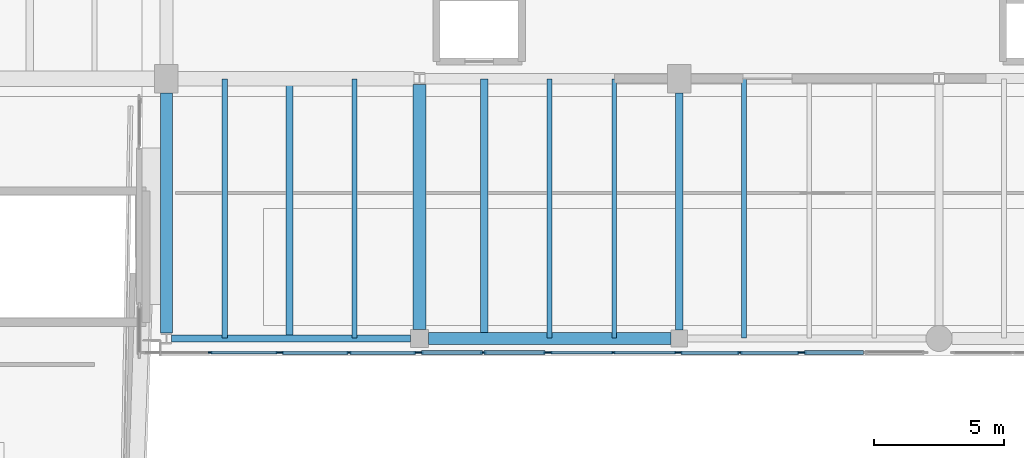
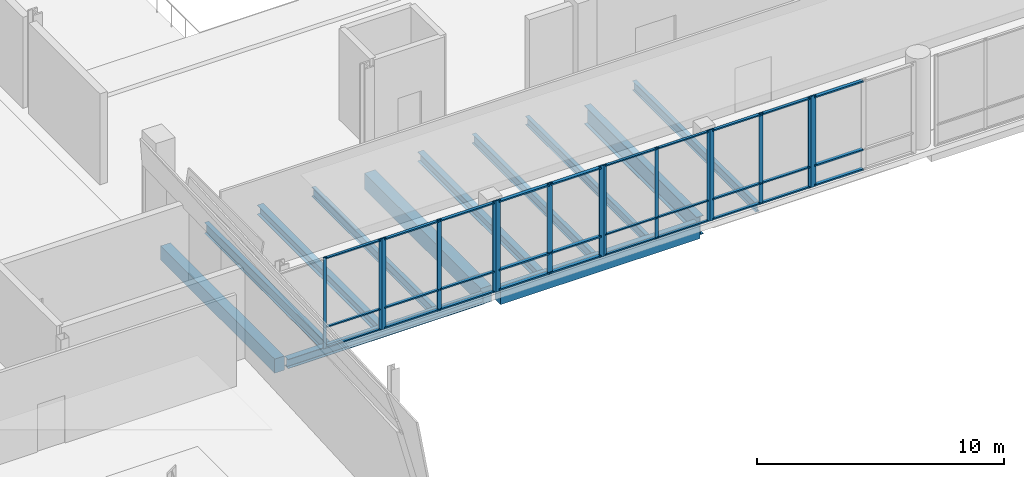
# One storey, part 17 of 41: 45 members, 12 beams, 6 elements without a shape of their own.
"""IFC4 building model written with IfcOpenShell, lengths in metres."""

from ifc_helpers import new_model, si_unit, direction, frame, origin, origin_2d, place, context, subcontext, project, spatial, rectangle, i_section, extrude, material, material_profile, profile_set, type_object, element, aggregate, save


model = new_model("IFC4")

# Units and contexts
model_context = context("Model", 3, precision=1e-05, world=origin(), true_north=direction((0.0, 1.0)))
body_context = subcontext(model_context, "Body", "Model", "MODEL_VIEW")
ifc_project = project(units=[si_unit("LENGTHUNIT", "METRE"), si_unit("AREAUNIT", "SQUARE_METRE"), si_unit("VOLUMEUNIT", "CUBIC_METRE"), si_unit("PLANEANGLEUNIT", "RADIAN"), si_unit("MASSUNIT", "GRAM", prefix="KILO")], contexts=[model_context])

# Site, building, storey
site_placement = place(None, origin())
site = spatial("IfcSite", under=ifc_project, at=site_placement, CompositionType="ELEMENT")
building_placement = place(site_placement, origin())
building = spatial("IfcBuilding", under=site, at=building_placement, Name="Trimount Lyric Opera House", CompositionType="ELEMENT")
storey_placement = place(building_placement, frame((0.0, 0.0, 20.0)))
storey = spatial("IfcBuildingStorey", under=building, at=storey_placement, Name="L04", CompositionType="ELEMENT", Elevation=20.0)

# Beams
ifc_material_1 = material(Name="Steel ASTM A992 Grade 50", Category="steel")
ifc_material_profile_1 = material_profile(ifc_material_1, i_section(OverallWidth=0.304931640625, OverallDepth=0.9189453125, WebThickness=0.017333984375, FlangeThickness=0.02783203125, FilletRadius=0.02001953125, at=origin_2d()), Name="W36X170")
ifc_profile_set_1 = profile_set([ifc_material_profile_1], Name="Steel ASTM A992 Grade 50")
beam_type_1 = type_object("IfcBeamType", Name="B-03", PredefinedType="BEAM", material=ifc_profile_set_1)
beam_1_placement = place(storey_placement, frame((84.0, 44.324951171875, -0.784423828125), z_axis=(0.0, 1.0, 0.0), x_axis=(-1.0, 0.0, 0.0)))
element("IfcBeam", 1, at=beam_1_placement, inside=storey, type_object=beam_type_1, Name="L04 girder Y-1225", PredefinedType="BEAM", context=body_context, shape_type="SweptSolid", body=[
    extrude(i_section(OverallWidth=0.304931640625, OverallDepth=0.9189453125, WebThickness=0.017333984375, FlangeThickness=0.02783203125, FilletRadius=0.02001953125, at=origin_2d()), origin(), (0.0, 0.0, 1.0), 9.125),
])
ifc_material_2 = material(Name="Concrete C40/50", Category="concrete")
ifc_material_profile_2 = material_profile(ifc_material_2, rectangle(XDim=0.5, YDim=0.800048828125, at=origin_2d()), Name="RC500X800")
ifc_profile_set_2 = profile_set([ifc_material_profile_2], Name="Concrete C40/50")
beam_type_2 = type_object("IfcBeamType", Name="B-15", PredefinedType="BEAM", material=ifc_profile_set_2)
beam_2_placement = place(storey_placement, frame((74.0, 44.35009765625, -0.72509765625), z_axis=(0.0, 1.0, 0.0), x_axis=(-1.0, 0.0, 0.0)))
element("IfcBeam", 2, at=beam_2_placement, inside=storey, type_object=beam_type_2, Name="L04 girder Y-1223", PredefinedType="BEAM", context=body_context, shape_type="SweptSolid", body=[
    extrude(rectangle(XDim=0.5, YDim=0.800048828125, at=origin_2d()), origin(), (0.0, 0.0, 1.0), 9.41748046875),
])
ifc_material_3 = material(Name="Steel ASTM A992 Grade 50", Category="steel")
ifc_material_profile_3 = material_profile(ifc_material_3, i_section(OverallWidth=0.2099609375, OverallDepth=0.532958984375, WebThickness=0.01025390625, FlangeThickness=0.015625, FilletRadius=0.012939453125, at=origin_2d()), Name="W21X62")
ifc_profile_set_3 = profile_set([ifc_material_profile_3], Name="Steel ASTM A992 Grade 50")
beam_type_3 = type_object("IfcBeamType", Name="J-02", PredefinedType="BEAM", material=ifc_profile_set_3)
beam_3_placement = place(storey_placement, frame((66.5, 44.011962890625, -0.591552734375), z_axis=(0.0, 1.0, 0.0), x_axis=(-1.0, 0.0, 0.0)))
element("IfcBeam", 3, at=beam_3_placement, inside=storey, type_object=beam_type_3, Name="L04 composite floor joist 1198", PredefinedType="BEAM", context=body_context, shape_type="SweptSolid", body=[
    extrude(i_section(OverallWidth=0.2099609375, OverallDepth=0.532958984375, WebThickness=0.01025390625, FlangeThickness=0.015625, FilletRadius=0.012939453125, at=origin_2d()), origin(), (0.0, 0.0, 1.0), 9.97607421875),
])
ifc_material_4 = material(Name="Steel ASTM A992 Grade 50", Category="steel")
ifc_material_profile_4 = material_profile(ifc_material_4, i_section(OverallWidth=0.281982421875, OverallDepth=0.467041015625, WebThickness=0.01220703125, FlangeThickness=0.01953125, FilletRadius=0.012939453125, at=origin_2d()), Name="W18X86")
ifc_profile_set_4 = profile_set([ifc_material_profile_4], Name="Steel ASTM A992 Grade 50")
beam_type_4 = type_object("IfcBeamType", Name="J-03", PredefinedType="BEAM", material=ifc_profile_set_4)
for number, where, z_axis, x_axis, name in (
    (4, (69.0, 44.011962890625, -0.55859375), (0.0, 1.0, 0.0), (-1.0, 0.0, 0.0), "L04 composite floor joist 1199"),
    (5, (76.5, 44.011962890625, -0.55859375), (0.0, 1.0, 0.0), (-1.0, 0.0, 0.0), "L04 composite floor joist 1201"),
):
    element("IfcBeam", number, at=place(storey_placement, frame(where, z_axis=z_axis, x_axis=x_axis)), inside=storey, type_object=beam_type_4, Name=name, PredefinedType="BEAM", context=body_context, shape_type="SweptSolid", body=[
        extrude(i_section(OverallWidth=0.281982421875, OverallDepth=0.467041015625, WebThickness=0.01220703125, FlangeThickness=0.01953125, FilletRadius=0.012939453125, at=origin_2d()), origin(), (0.0, 0.0, 1.0), 9.97607421875),
    ])
ifc_material_5 = material(Name="Steel ASTM A992 Grade 50", Category="steel")
ifc_material_profile_5 = material_profile(ifc_material_5, i_section(OverallWidth=0.19091796875, OverallDepth=0.45703125, WebThickness=0.009033203125, FlangeThickness=0.014404296875, FilletRadius=0.010986328125, at=origin_2d()), Name="W18X50")
ifc_profile_set_5 = profile_set([ifc_material_profile_5], Name="Steel ASTM A992 Grade 50")
beam_type_5 = type_object("IfcBeamType", Name="J-04", PredefinedType="BEAM", material=ifc_profile_set_5)
for number, where, z_axis, x_axis, name in (
    (6, (71.5, 44.011962890625, -0.553466796875), (0.0, 1.0, 0.0), (-1.0, 0.0, 0.0), "L04 composite floor joist 1200"),
    (7, (79.0, 44.011962890625, -0.553466796875), (0.0, 1.0, 0.0), (-1.0, 0.0, 0.0), "L04 composite floor joist 1202"),
    (8, (86.5, 44.011962890625, -0.553466796875), (0.0, 1.0, 0.0), (-1.0, 0.0, 0.0), "L04 composite floor joist 1204"),
):
    element("IfcBeam", number, at=place(storey_placement, frame(where, z_axis=z_axis, x_axis=x_axis)), inside=storey, type_object=beam_type_5, Name=name, PredefinedType="BEAM", context=body_context, shape_type="SweptSolid", body=[
        extrude(i_section(OverallWidth=0.19091796875, OverallDepth=0.45703125, WebThickness=0.009033203125, FlangeThickness=0.014404296875, FilletRadius=0.010986328125, at=origin_2d()), origin(), (0.0, 0.0, 1.0), 9.97607421875),
    ])
ifc_material_6 = material(Name="Steel ASTM A992 Grade 50", Category="steel")
ifc_material_profile_6 = material_profile(ifc_material_6, i_section(OverallWidth=0.180908203125, OverallDepth=0.4169921875, WebThickness=0.010986328125, FlangeThickness=0.018310546875, FilletRadius=0.010986328125, at=origin_2d()), Name="W16X57")
ifc_profile_set_6 = profile_set([ifc_material_profile_6], Name="Steel ASTM A992 Grade 50")
beam_type_6 = type_object("IfcBeamType", Name="J-05", PredefinedType="BEAM", material=ifc_profile_set_6)
beam_4_placement = place(storey_placement, frame((81.5, 44.011962890625, -0.533447265625), z_axis=(0.0, 1.0, 0.0), x_axis=(-1.0, 0.0, 0.0)))
element("IfcBeam", 9, at=beam_4_placement, inside=storey, type_object=beam_type_6, Name="L04 composite floor joist 1203", PredefinedType="BEAM", context=body_context, shape_type="SweptSolid", body=[
    extrude(i_section(OverallWidth=0.180908203125, OverallDepth=0.4169921875, WebThickness=0.010986328125, FlangeThickness=0.018310546875, FilletRadius=0.010986328125, at=origin_2d()), origin(), (0.0, 0.0, 1.0), 9.97607421875),
])

# Curtain wall, member
ifc_material_7 = material(Name="Thermally Broken Aluminium and Low-E Glass", Category="aluminium")
curtain_wall_type = type_object("IfcCurtainWallType", Name="CW-05", PredefinedType="NOTDEFINED", material=ifc_material_7)
curtain_wall_1_placement = place(storey_placement, origin())
curtain_wall_1 = element("IfcCurtainWall", 10, at=curtain_wall_1_placement, inside=storey, type_object=curtain_wall_type, Name="L04 curtain wall 327", PredefinedType="NOTDEFINED")
ifc_material_8 = material(Name="Anodised Aluminium 6063-T6", Category="aluminium")
ifc_material_profile_7 = material_profile(ifc_material_8, rectangle(XDim=0.070068359375, YDim=0.219970703125, at=origin_2d()), Name="ALU-MULL-70X220")
ifc_profile_set_7 = profile_set([ifc_material_profile_7], Name="Anodised Aluminium 6063-T6")
member_type_1 = type_object("IfcMemberType", Name="ML-01", PredefinedType="MULLION", material=ifc_profile_set_7)
member_1_placement = place(storey_placement, frame((88.784912109375, 43.4599609375, 0.0), z_axis=(0.0, 0.0, 1.0), x_axis=(0.0, -1.0, 0.0)))
member_1 = element("IfcMember", 11, at=member_1_placement, type_object=member_type_1, Name="CW-05 mullion 3", PredefinedType="MULLION", context=body_context, shape_type="SweptSolid", body=[
    extrude(rectangle(XDim=0.070068359375, YDim=0.219970703125, at=origin_2d()), origin(), (0.0, 0.0, 1.0), 4.510009765625),
])

# Curtain wall, members
curtain_wall_2_placement = place(storey_placement, origin())
curtain_wall_2 = element("IfcCurtainWall", 12, at=curtain_wall_2_placement, inside=storey, type_object=curtain_wall_type, Name="L04 curtain wall 330", PredefinedType="NOTDEFINED")
member_2_placement = place(storey_placement, frame((78.875, 43.4599609375, 0.0), z_axis=(0.0, 0.0, 1.0), x_axis=(0.0, -1.0, 0.0)))
member_2 = element("IfcMember", 13, at=member_2_placement, type_object=member_type_1, Name="CW-05 mullion 1", PredefinedType="MULLION", context=body_context, shape_type="SweptSolid", body=[
    extrude(rectangle(XDim=0.070068359375, YDim=0.219970703125, at=origin_2d()), origin(), (0.0, 0.0, 1.0), 4.510009765625),
])
member_3_placement = place(storey_placement, frame((76.455078125, 43.4599609375, 0.0), z_axis=(0.0, 0.0, 1.0), x_axis=(0.0, -1.0, 0.0)))
member_3 = element("IfcMember", 14, at=member_3_placement, type_object=member_type_1, Name="CW-05 mullion 2", PredefinedType="MULLION", context=body_context, shape_type="SweptSolid", body=[
    extrude(rectangle(XDim=0.070068359375, YDim=0.219970703125, at=origin_2d()), origin(), (0.0, 0.0, 1.0), 4.510009765625),
])
member_4_placement = place(storey_placement, frame((74.034912109375, 43.4599609375, 0.0), z_axis=(0.0, 0.0, 1.0), x_axis=(0.0, -1.0, 0.0)))
member_4 = element("IfcMember", 15, at=member_4_placement, type_object=member_type_1, Name="CW-05 mullion 3", PredefinedType="MULLION", context=body_context, shape_type="SweptSolid", body=[
    extrude(rectangle(XDim=0.070068359375, YDim=0.219970703125, at=origin_2d()), origin(), (0.0, 0.0, 1.0), 4.510009765625),
])

curtain_wall_3_placement = place(storey_placement, origin())
curtain_wall_3 = element("IfcCurtainWall", 16, at=curtain_wall_3_placement, inside=storey, type_object=curtain_wall_type, Name="L04 curtain wall 328", PredefinedType="NOTDEFINED")
ifc_material_9 = material(Name="Anodised Aluminium 6063-T6", Category="aluminium")
ifc_material_profile_8 = material_profile(ifc_material_9, rectangle(XDim=0.06494140625, YDim=0.179931640625, at=origin_2d()), Name="ALU-MULL-65X180")
ifc_profile_set_8 = profile_set([ifc_material_profile_8], Name="Anodised Aluminium 6063-T6")
member_type_2 = type_object("IfcMemberType", Name="ML-02", PredefinedType="MULLION", material=ifc_profile_set_8)
member_5_placement = place(storey_placement, frame((88.62744140625, 43.4599609375, 0.0), z_axis=(0.0, 0.0, 1.0), x_axis=(0.0, -1.0, 0.0)))
member_5 = element("IfcMember", 17, at=member_5_placement, type_object=member_type_2, Name="CW-05 mullion 1", PredefinedType="MULLION", context=body_context, shape_type="SweptSolid", body=[
    extrude(rectangle(XDim=0.06494140625, YDim=0.179931640625, at=origin_2d()), origin(), (0.0, 0.0, 1.0), 4.510009765625),
])
member_6_placement = place(storey_placement, frame((86.330078125, 43.4599609375, 0.0), z_axis=(0.0, 0.0, 1.0), x_axis=(0.0, -1.0, 0.0)))
member_6 = element("IfcMember", 18, at=member_6_placement, type_object=member_type_2, Name="CW-05 mullion 2", PredefinedType="MULLION", context=body_context, shape_type="SweptSolid", body=[
    extrude(rectangle(XDim=0.06494140625, YDim=0.179931640625, at=origin_2d()), origin(), (0.0, 0.0, 1.0), 4.510009765625),
])
member_7_placement = place(storey_placement, frame((84.032470703125, 43.4599609375, 0.0), z_axis=(0.0, 0.0, 1.0), x_axis=(0.0, -1.0, 0.0)))
member_7 = element("IfcMember", 19, at=member_7_placement, type_object=member_type_2, Name="CW-05 mullion 3", PredefinedType="MULLION", context=body_context, shape_type="SweptSolid", body=[
    extrude(rectangle(XDim=0.06494140625, YDim=0.179931640625, at=origin_2d()), origin(), (0.0, 0.0, 1.0), 4.510009765625),
])

curtain_wall_4_placement = place(storey_placement, origin())
curtain_wall_4 = element("IfcCurtainWall", 20, at=curtain_wall_4_placement, inside=storey, type_object=curtain_wall_type, Name="L04 curtain wall 331", PredefinedType="NOTDEFINED")
member_8_placement = place(storey_placement, frame((73.87744140625, 43.4599609375, 0.0), z_axis=(0.0, 0.0, 1.0), x_axis=(0.0, -1.0, 0.0)))
member_8 = element("IfcMember", 21, at=member_8_placement, type_object=member_type_2, Name="CW-05 mullion 1", PredefinedType="MULLION", context=body_context, shape_type="SweptSolid", body=[
    extrude(rectangle(XDim=0.06494140625, YDim=0.179931640625, at=origin_2d()), origin(), (0.0, 0.0, 1.0), 4.510009765625),
])
member_9_placement = place(storey_placement, frame((71.284912109375, 43.4599609375, 0.0), z_axis=(0.0, 0.0, 1.0), x_axis=(0.0, -1.0, 0.0)))
member_9 = element("IfcMember", 22, at=member_9_placement, type_object=member_type_2, Name="CW-05 mullion 2", PredefinedType="MULLION", context=body_context, shape_type="SweptSolid", body=[
    extrude(rectangle(XDim=0.06494140625, YDim=0.179931640625, at=origin_2d()), origin(), (0.0, 0.0, 1.0), 4.510009765625),
])
member_10_placement = place(storey_placement, frame((68.6923828125, 43.4599609375, 0.0), z_axis=(0.0, 0.0, 1.0), x_axis=(0.0, -1.0, 0.0)))
member_10 = element("IfcMember", 23, at=member_10_placement, type_object=member_type_2, Name="CW-05 mullion 3", PredefinedType="MULLION", context=body_context, shape_type="SweptSolid", body=[
    extrude(rectangle(XDim=0.06494140625, YDim=0.179931640625, at=origin_2d()), origin(), (0.0, 0.0, 1.0), 4.510009765625),
])

curtain_wall_5_placement = place(storey_placement, origin())
curtain_wall_5 = element("IfcCurtainWall", 24, at=curtain_wall_5_placement, inside=storey, type_object=curtain_wall_type, Name="L04 curtain wall 329", PredefinedType="NOTDEFINED")
ifc_material_10 = material(Name="Anodised Aluminium 6063-T6", Category="aluminium")
ifc_material_profile_9 = material_profile(ifc_material_10, rectangle(XDim=0.06005859375, YDim=0.14990234375, at=origin_2d()), Name="ALU-MULL-60X150")
ifc_profile_set_9 = profile_set([ifc_material_profile_9], Name="Anodised Aluminium 6063-T6")
member_type_3 = type_object("IfcMemberType", Name="ML-03", PredefinedType="MULLION", material=ifc_profile_set_9)
member_11_placement = place(storey_placement, frame((83.8798828125, 43.4599609375, 0.0), z_axis=(0.0, 0.0, 1.0), x_axis=(0.0, -1.0, 0.0)))
member_11 = element("IfcMember", 25, at=member_11_placement, type_object=member_type_3, Name="CW-05 mullion 1", PredefinedType="MULLION", context=body_context, shape_type="SweptSolid", body=[
    extrude(rectangle(XDim=0.06005859375, YDim=0.14990234375, at=origin_2d()), origin(), (0.0, 0.0, 1.0), 4.510009765625),
])
member_12_placement = place(storey_placement, frame((81.455078125, 43.4599609375, 0.0), z_axis=(0.0, 0.0, 1.0), x_axis=(0.0, -1.0, 0.0)))
member_12 = element("IfcMember", 26, at=member_12_placement, type_object=member_type_3, Name="CW-05 mullion 2", PredefinedType="MULLION", context=body_context, shape_type="SweptSolid", body=[
    extrude(rectangle(XDim=0.06005859375, YDim=0.14990234375, at=origin_2d()), origin(), (0.0, 0.0, 1.0), 4.510009765625),
])
member_13_placement = place(storey_placement, frame((79.030029296875, 43.4599609375, 0.0), z_axis=(0.0, 0.0, 1.0), x_axis=(0.0, -1.0, 0.0)))
member_13 = element("IfcMember", 27, at=member_13_placement, type_object=member_type_3, Name="CW-05 mullion 3", PredefinedType="MULLION", context=body_context, shape_type="SweptSolid", body=[
    extrude(rectangle(XDim=0.06005859375, YDim=0.14990234375, at=origin_2d()), origin(), (0.0, 0.0, 1.0), 4.510009765625),
])

curtain_wall_6_placement = place(storey_placement, origin())
curtain_wall_6 = element("IfcCurtainWall", 28, at=curtain_wall_6_placement, inside=storey, type_object=curtain_wall_type, Name="L04 curtain wall 332", PredefinedType="NOTDEFINED")
member_14_placement = place(storey_placement, frame((68.5400390625, 43.4599609375, 0.0), z_axis=(0.0, 0.0, 1.0), x_axis=(0.0, -1.0, 0.0)))
member_14 = element("IfcMember", 29, at=member_14_placement, type_object=member_type_3, Name="CW-05 mullion 1", PredefinedType="MULLION", context=body_context, shape_type="SweptSolid", body=[
    extrude(rectangle(XDim=0.06005859375, YDim=0.14990234375, at=origin_2d()), origin(), (0.0, 0.0, 1.0), 4.510009765625),
])
member_15_placement = place(storey_placement, frame((65.945068359375, 43.4599609375, 0.0), z_axis=(0.0, 0.0, 1.0), x_axis=(0.0, -1.0, 0.0)))
member_15 = element("IfcMember", 30, at=member_15_placement, type_object=member_type_3, Name="CW-05 mullion 2", PredefinedType="MULLION", context=body_context, shape_type="SweptSolid", body=[
    extrude(rectangle(XDim=0.06005859375, YDim=0.14990234375, at=origin_2d()), origin(), (0.0, 0.0, 1.0), 4.510009765625),
])

# Beams
ifc_material_11 = material(Name="Steel ASTM A992 Grade 50", Category="steel")
ifc_material_profile_10 = material_profile(ifc_material_11, i_section(OverallWidth=0.281982421875, OverallDepth=0.467041015625, WebThickness=0.01220703125, FlangeThickness=0.01953125, FilletRadius=0.012939453125, at=origin_2d()), Name="W18X86")
ifc_profile_set_10 = profile_set([ifc_material_profile_10], Name="Steel ASTM A992 Grade 50")
beam_type_7 = type_object("IfcBeamType", Name="SP-01", PredefinedType="SPANDREL", material=ifc_profile_set_10)
beam_5_placement = place(storey_placement, frame((64.462890625, 44.0, -0.513427734375), z_axis=(1.0, 0.0, 0.0), x_axis=(0.0, 1.0, 0.0)))
element("IfcBeam", 31, at=beam_5_placement, inside=storey, type_object=beam_type_7, Name="L04 girder X-1128", PredefinedType="SPANDREL", context=body_context, shape_type="SweptSolid", body=[
    extrude(i_section(OverallWidth=0.281982421875, OverallDepth=0.467041015625, WebThickness=0.01220703125, FlangeThickness=0.01953125, FilletRadius=0.012939453125, at=origin_2d()), origin(), (0.0, 0.0, 1.0), 9.18701171875),
])
ifc_material_12 = material(Name="Concrete C40/50", Category="concrete")
ifc_material_profile_11 = material_profile(ifc_material_12, rectangle(XDim=0.449951171875, YDim=0.699951171875, at=origin_2d()), Name="RC450X700")
ifc_profile_set_11 = profile_set([ifc_material_profile_11], Name="Concrete C40/50")
beam_type_8 = type_object("IfcBeamType", Name="SP-02", PredefinedType="SPANDREL", material=ifc_profile_set_11)
beam_6_placement = place(storey_placement, frame((74.35009765625, 44.0, -0.6298828125), z_axis=(1.0, 0.0, 0.0), x_axis=(0.0, 1.0, 0.0)))
element("IfcBeam", 32, at=beam_6_placement, inside=storey, type_object=beam_type_8, Name="L04 girder X-1129", PredefinedType="SPANDREL", context=body_context, shape_type="SweptSolid", body=[
    extrude(rectangle(XDim=0.449951171875, YDim=0.699951171875, at=origin_2d()), origin(), (0.0, 0.0, 1.0), 9.324951171875),
])
beam_7_placement = place(storey_placement, frame((64.260009765625, 44.20849609375, -0.675048828125), z_axis=(0.0, 1.0, 0.0), x_axis=(-1.0, 0.0, 0.0)))
element("IfcBeam", 33, at=beam_7_placement, inside=storey, type_object=beam_type_8, Name="L04 girder Y-1216", PredefinedType="SPANDREL", context=body_context, shape_type="SweptSolid", body=[
    extrude(rectangle(XDim=0.449951171875, YDim=0.699951171875, at=origin_2d()), origin(), (0.0, 0.0, 1.0), 9.241455078125),
])

# Member
ifc_material_13 = material(Name="Anodised Aluminium 6063-T6", Category="aluminium")
ifc_material_profile_12 = material_profile(ifc_material_13, rectangle(XDim=0.159912109375, YDim=0.070068359375, at=origin_2d()), Name="ALU-TRAN-70X160")
ifc_profile_set_12 = profile_set([ifc_material_profile_12], Name="Anodised Aluminium 6063-T6")
member_type_4 = type_object("IfcMemberType", Name="TR-01", PredefinedType="USERDEFINED", material=ifc_profile_set_12)
member_16_placement = place(storey_placement, frame((91.090087890625, 43.4599609375, 0.080078125), z_axis=(-1.0, 0.0, 0.0), x_axis=(0.0, -1.0, 0.0)))
member_16 = element("IfcMember", 34, at=member_16_placement, type_object=member_type_4, Name="CW-05 transom 2.1", ObjectType="TRANSOM", PredefinedType="USERDEFINED", context=body_context, shape_type="SweptSolid", body=[
    extrude(rectangle(XDim=0.159912109375, YDim=0.070068359375, at=origin_2d()), origin(), (0.0, 0.0, 1.0), 2.27001953125),
])

member_17_placement = place(storey_placement, frame((91.090087890625, 43.4599609375, 1.050048828125), z_axis=(-1.0, 0.0, 0.0), x_axis=(0.0, -1.0, 0.0)))
member_17 = element("IfcMember", 35, at=member_17_placement, type_object=member_type_4, Name="CW-05 transom 2.2", ObjectType="TRANSOM", PredefinedType="USERDEFINED", context=body_context, shape_type="SweptSolid", body=[
    extrude(rectangle(XDim=0.159912109375, YDim=0.070068359375, at=origin_2d()), origin(), (0.0, 0.0, 1.0), 2.27001953125),
])

member_18_placement = place(storey_placement, frame((91.090087890625, 43.4599609375, 4.429931640625), z_axis=(-1.0, 0.0, 0.0), x_axis=(0.0, -1.0, 0.0)))
member_18 = element("IfcMember", 36, at=member_18_placement, type_object=member_type_4, Name="CW-05 transom 2.3", ObjectType="TRANSOM", PredefinedType="USERDEFINED", context=body_context, shape_type="SweptSolid", body=[
    extrude(rectangle(XDim=0.159912109375, YDim=0.070068359375, at=origin_2d()), origin(), (0.0, 0.0, 1.0), 2.27001953125),
])

aggregate(curtain_wall_1, [member_1, member_16, member_17, member_18])

member_19_placement = place(storey_placement, frame((78.840087890625, 43.4599609375, 0.080078125), z_axis=(-1.0, 0.0, 0.0), x_axis=(0.0, -1.0, 0.0)))
member_19 = element("IfcMember", 37, at=member_19_placement, type_object=member_type_4, Name="CW-05 transom 1.1", ObjectType="TRANSOM", PredefinedType="USERDEFINED", context=body_context, shape_type="SweptSolid", body=[
    extrude(rectangle(XDim=0.159912109375, YDim=0.070068359375, at=origin_2d()), origin(), (0.0, 0.0, 1.0), 2.35009765625),
])

member_20_placement = place(storey_placement, frame((78.840087890625, 43.4599609375, 1.050048828125), z_axis=(-1.0, 0.0, 0.0), x_axis=(0.0, -1.0, 0.0)))
member_20 = element("IfcMember", 38, at=member_20_placement, type_object=member_type_4, Name="CW-05 transom 1.2", ObjectType="TRANSOM", PredefinedType="USERDEFINED", context=body_context, shape_type="SweptSolid", body=[
    extrude(rectangle(XDim=0.159912109375, YDim=0.070068359375, at=origin_2d()), origin(), (0.0, 0.0, 1.0), 2.35009765625),
])

member_21_placement = place(storey_placement, frame((78.840087890625, 43.4599609375, 4.429931640625), z_axis=(-1.0, 0.0, 0.0), x_axis=(0.0, -1.0, 0.0)))
member_21 = element("IfcMember", 39, at=member_21_placement, type_object=member_type_4, Name="CW-05 transom 1.3", ObjectType="TRANSOM", PredefinedType="USERDEFINED", context=body_context, shape_type="SweptSolid", body=[
    extrude(rectangle(XDim=0.159912109375, YDim=0.070068359375, at=origin_2d()), origin(), (0.0, 0.0, 1.0), 2.35009765625),
])

member_22_placement = place(storey_placement, frame((76.419921875, 43.4599609375, 0.080078125), z_axis=(-1.0, 0.0, 0.0), x_axis=(0.0, -1.0, 0.0)))
member_22 = element("IfcMember", 40, at=member_22_placement, type_object=member_type_4, Name="CW-05 transom 2.1", ObjectType="TRANSOM", PredefinedType="USERDEFINED", context=body_context, shape_type="SweptSolid", body=[
    extrude(rectangle(XDim=0.159912109375, YDim=0.070068359375, at=origin_2d()), origin(), (0.0, 0.0, 1.0), 2.349853515625),
])

member_23_placement = place(storey_placement, frame((76.419921875, 43.4599609375, 1.050048828125), z_axis=(-1.0, 0.0, 0.0), x_axis=(0.0, -1.0, 0.0)))
member_23 = element("IfcMember", 41, at=member_23_placement, type_object=member_type_4, Name="CW-05 transom 2.2", ObjectType="TRANSOM", PredefinedType="USERDEFINED", context=body_context, shape_type="SweptSolid", body=[
    extrude(rectangle(XDim=0.159912109375, YDim=0.070068359375, at=origin_2d()), origin(), (0.0, 0.0, 1.0), 2.349853515625),
])

member_24_placement = place(storey_placement, frame((76.419921875, 43.4599609375, 4.429931640625), z_axis=(-1.0, 0.0, 0.0), x_axis=(0.0, -1.0, 0.0)))
member_24 = element("IfcMember", 42, at=member_24_placement, type_object=member_type_4, Name="CW-05 transom 2.3", ObjectType="TRANSOM", PredefinedType="USERDEFINED", context=body_context, shape_type="SweptSolid", body=[
    extrude(rectangle(XDim=0.159912109375, YDim=0.070068359375, at=origin_2d()), origin(), (0.0, 0.0, 1.0), 2.349853515625),
])

aggregate(curtain_wall_2, [member_2, member_3, member_4, member_19, member_20, member_21, member_22, member_23, member_24])

ifc_material_14 = material(Name="Anodised Aluminium 6063-T6", Category="aluminium")
ifc_material_profile_13 = material_profile(ifc_material_14, rectangle(XDim=0.135009765625, YDim=0.06494140625, at=origin_2d()), Name="ALU-TRAN-65X135")
ifc_profile_set_13 = profile_set([ifc_material_profile_13], Name="Anodised Aluminium 6063-T6")
member_type_5 = type_object("IfcMemberType", Name="TR-02", PredefinedType="USERDEFINED", material=ifc_profile_set_13)
member_25_placement = place(storey_placement, frame((88.594970703125, 43.4599609375, 0.0673828125), z_axis=(-1.0, 0.0, 0.0), x_axis=(0.0, -1.0, 0.0)))
member_25 = element("IfcMember", 43, at=member_25_placement, type_object=member_type_5, Name="CW-05 transom 1.1", ObjectType="TRANSOM", PredefinedType="USERDEFINED", context=body_context, shape_type="SweptSolid", body=[
    extrude(rectangle(XDim=0.135009765625, YDim=0.06494140625, at=origin_2d()), origin(), (0.0, 0.0, 1.0), 2.232421875),
])

member_26_placement = place(storey_placement, frame((88.594970703125, 43.4599609375, 1.050048828125), z_axis=(-1.0, 0.0, 0.0), x_axis=(0.0, -1.0, 0.0)))
member_26 = element("IfcMember", 44, at=member_26_placement, type_object=member_type_5, Name="CW-05 transom 1.2", ObjectType="TRANSOM", PredefinedType="USERDEFINED", context=body_context, shape_type="SweptSolid", body=[
    extrude(rectangle(XDim=0.135009765625, YDim=0.06494140625, at=origin_2d()), origin(), (0.0, 0.0, 1.0), 2.232421875),
])

member_27_placement = place(storey_placement, frame((88.594970703125, 43.4599609375, 4.4423828125), z_axis=(-1.0, 0.0, 0.0), x_axis=(0.0, -1.0, 0.0)))
member_27 = element("IfcMember", 45, at=member_27_placement, type_object=member_type_5, Name="CW-05 transom 1.3", ObjectType="TRANSOM", PredefinedType="USERDEFINED", context=body_context, shape_type="SweptSolid", body=[
    extrude(rectangle(XDim=0.135009765625, YDim=0.06494140625, at=origin_2d()), origin(), (0.0, 0.0, 1.0), 2.232421875),
])

member_28_placement = place(storey_placement, frame((86.297607421875, 43.4599609375, 0.0673828125), z_axis=(-1.0, 0.0, 0.0), x_axis=(0.0, -1.0, 0.0)))
member_28 = element("IfcMember", 46, at=member_28_placement, type_object=member_type_5, Name="CW-05 transom 2.1", ObjectType="TRANSOM", PredefinedType="USERDEFINED", context=body_context, shape_type="SweptSolid", body=[
    extrude(rectangle(XDim=0.135009765625, YDim=0.06494140625, at=origin_2d()), origin(), (0.0, 0.0, 1.0), 2.232666015625),
])

member_29_placement = place(storey_placement, frame((86.297607421875, 43.4599609375, 1.050048828125), z_axis=(-1.0, 0.0, 0.0), x_axis=(0.0, -1.0, 0.0)))
member_29 = element("IfcMember", 47, at=member_29_placement, type_object=member_type_5, Name="CW-05 transom 2.2", ObjectType="TRANSOM", PredefinedType="USERDEFINED", context=body_context, shape_type="SweptSolid", body=[
    extrude(rectangle(XDim=0.135009765625, YDim=0.06494140625, at=origin_2d()), origin(), (0.0, 0.0, 1.0), 2.232666015625),
])

member_30_placement = place(storey_placement, frame((86.297607421875, 43.4599609375, 4.4423828125), z_axis=(-1.0, 0.0, 0.0), x_axis=(0.0, -1.0, 0.0)))
member_30 = element("IfcMember", 48, at=member_30_placement, type_object=member_type_5, Name="CW-05 transom 2.3", ObjectType="TRANSOM", PredefinedType="USERDEFINED", context=body_context, shape_type="SweptSolid", body=[
    extrude(rectangle(XDim=0.135009765625, YDim=0.06494140625, at=origin_2d()), origin(), (0.0, 0.0, 1.0), 2.232666015625),
])

aggregate(curtain_wall_3, [member_5, member_6, member_7, member_25, member_26, member_27, member_28, member_29, member_30])

member_31_placement = place(storey_placement, frame((73.844970703125, 43.4599609375, 0.0673828125), z_axis=(-1.0, 0.0, 0.0), x_axis=(0.0, -1.0, 0.0)))
member_31 = element("IfcMember", 49, at=member_31_placement, type_object=member_type_5, Name="CW-05 transom 1.1", ObjectType="TRANSOM", PredefinedType="USERDEFINED", context=body_context, shape_type="SweptSolid", body=[
    extrude(rectangle(XDim=0.135009765625, YDim=0.06494140625, at=origin_2d()), origin(), (0.0, 0.0, 1.0), 2.527587890625),
])

member_32_placement = place(storey_placement, frame((73.844970703125, 43.4599609375, 1.050048828125), z_axis=(-1.0, 0.0, 0.0), x_axis=(0.0, -1.0, 0.0)))
member_32 = element("IfcMember", 50, at=member_32_placement, type_object=member_type_5, Name="CW-05 transom 1.2", ObjectType="TRANSOM", PredefinedType="USERDEFINED", context=body_context, shape_type="SweptSolid", body=[
    extrude(rectangle(XDim=0.135009765625, YDim=0.06494140625, at=origin_2d()), origin(), (0.0, 0.0, 1.0), 2.527587890625),
])

member_33_placement = place(storey_placement, frame((73.844970703125, 43.4599609375, 4.4423828125), z_axis=(-1.0, 0.0, 0.0), x_axis=(0.0, -1.0, 0.0)))
member_33 = element("IfcMember", 51, at=member_33_placement, type_object=member_type_5, Name="CW-05 transom 1.3", ObjectType="TRANSOM", PredefinedType="USERDEFINED", context=body_context, shape_type="SweptSolid", body=[
    extrude(rectangle(XDim=0.135009765625, YDim=0.06494140625, at=origin_2d()), origin(), (0.0, 0.0, 1.0), 2.527587890625),
])

member_34_placement = place(storey_placement, frame((71.25244140625, 43.4599609375, 0.0673828125), z_axis=(-1.0, 0.0, 0.0), x_axis=(0.0, -1.0, 0.0)))
member_34 = element("IfcMember", 52, at=member_34_placement, type_object=member_type_5, Name="CW-05 transom 2.1", ObjectType="TRANSOM", PredefinedType="USERDEFINED", context=body_context, shape_type="SweptSolid", body=[
    extrude(rectangle(XDim=0.135009765625, YDim=0.06494140625, at=origin_2d()), origin(), (0.0, 0.0, 1.0), 2.52734375),
])

member_35_placement = place(storey_placement, frame((71.25244140625, 43.4599609375, 1.050048828125), z_axis=(-1.0, 0.0, 0.0), x_axis=(0.0, -1.0, 0.0)))
member_35 = element("IfcMember", 53, at=member_35_placement, type_object=member_type_5, Name="CW-05 transom 2.2", ObjectType="TRANSOM", PredefinedType="USERDEFINED", context=body_context, shape_type="SweptSolid", body=[
    extrude(rectangle(XDim=0.135009765625, YDim=0.06494140625, at=origin_2d()), origin(), (0.0, 0.0, 1.0), 2.52734375),
])

member_36_placement = place(storey_placement, frame((71.25244140625, 43.4599609375, 4.4423828125), z_axis=(-1.0, 0.0, 0.0), x_axis=(0.0, -1.0, 0.0)))
member_36 = element("IfcMember", 54, at=member_36_placement, type_object=member_type_5, Name="CW-05 transom 2.3", ObjectType="TRANSOM", PredefinedType="USERDEFINED", context=body_context, shape_type="SweptSolid", body=[
    extrude(rectangle(XDim=0.135009765625, YDim=0.06494140625, at=origin_2d()), origin(), (0.0, 0.0, 1.0), 2.52734375),
])

aggregate(curtain_wall_4, [member_8, member_9, member_10, member_31, member_32, member_33, member_34, member_35, member_36])

ifc_material_15 = material(Name="Anodised Aluminium 6063-T6", Category="aluminium")
ifc_material_profile_14 = material_profile(ifc_material_15, rectangle(XDim=0.114990234375, YDim=0.06005859375, at=origin_2d()), Name="ALU-TRAN-60X115")
ifc_profile_set_14 = profile_set([ifc_material_profile_14], Name="Anodised Aluminium 6063-T6")
member_type_6 = type_object("IfcMemberType", Name="TR-03", PredefinedType="USERDEFINED", material=ifc_profile_set_14)
member_37_placement = place(storey_placement, frame((83.85009765625, 43.4599609375, 0.0576171875), z_axis=(-1.0, 0.0, 0.0), x_axis=(0.0, -1.0, 0.0)))
member_37 = element("IfcMember", 55, at=member_37_placement, type_object=member_type_6, Name="CW-05 transom 1.1", ObjectType="TRANSOM", PredefinedType="USERDEFINED", context=body_context, shape_type="SweptSolid", body=[
    extrude(rectangle(XDim=0.114990234375, YDim=0.06005859375, at=origin_2d()), origin(), (0.0, 0.0, 1.0), 2.364990234375),
])

member_38_placement = place(storey_placement, frame((83.85009765625, 43.4599609375, 1.050048828125), z_axis=(-1.0, 0.0, 0.0), x_axis=(0.0, -1.0, 0.0)))
member_38 = element("IfcMember", 56, at=member_38_placement, type_object=member_type_6, Name="CW-05 transom 1.2", ObjectType="TRANSOM", PredefinedType="USERDEFINED", context=body_context, shape_type="SweptSolid", body=[
    extrude(rectangle(XDim=0.114990234375, YDim=0.06005859375, at=origin_2d()), origin(), (0.0, 0.0, 1.0), 2.364990234375),
])

member_39_placement = place(storey_placement, frame((83.85009765625, 43.4599609375, 4.452392578125), z_axis=(-1.0, 0.0, 0.0), x_axis=(0.0, -1.0, 0.0)))
member_39 = element("IfcMember", 57, at=member_39_placement, type_object=member_type_6, Name="CW-05 transom 1.3", ObjectType="TRANSOM", PredefinedType="USERDEFINED", context=body_context, shape_type="SweptSolid", body=[
    extrude(rectangle(XDim=0.114990234375, YDim=0.06005859375, at=origin_2d()), origin(), (0.0, 0.0, 1.0), 2.364990234375),
])

member_40_placement = place(storey_placement, frame((81.425048828125, 43.4599609375, 0.0576171875), z_axis=(-1.0, 0.0, 0.0), x_axis=(0.0, -1.0, 0.0)))
member_40 = element("IfcMember", 58, at=member_40_placement, type_object=member_type_6, Name="CW-05 transom 2.1", ObjectType="TRANSOM", PredefinedType="USERDEFINED", context=body_context, shape_type="SweptSolid", body=[
    extrude(rectangle(XDim=0.114990234375, YDim=0.06005859375, at=origin_2d()), origin(), (0.0, 0.0, 1.0), 2.364990234375),
])

member_41_placement = place(storey_placement, frame((81.425048828125, 43.4599609375, 1.050048828125), z_axis=(-1.0, 0.0, 0.0), x_axis=(0.0, -1.0, 0.0)))
member_41 = element("IfcMember", 59, at=member_41_placement, type_object=member_type_6, Name="CW-05 transom 2.2", ObjectType="TRANSOM", PredefinedType="USERDEFINED", context=body_context, shape_type="SweptSolid", body=[
    extrude(rectangle(XDim=0.114990234375, YDim=0.06005859375, at=origin_2d()), origin(), (0.0, 0.0, 1.0), 2.364990234375),
])

member_42_placement = place(storey_placement, frame((81.425048828125, 43.4599609375, 4.452392578125), z_axis=(-1.0, 0.0, 0.0), x_axis=(0.0, -1.0, 0.0)))
member_42 = element("IfcMember", 60, at=member_42_placement, type_object=member_type_6, Name="CW-05 transom 2.3", ObjectType="TRANSOM", PredefinedType="USERDEFINED", context=body_context, shape_type="SweptSolid", body=[
    extrude(rectangle(XDim=0.114990234375, YDim=0.06005859375, at=origin_2d()), origin(), (0.0, 0.0, 1.0), 2.364990234375),
])

aggregate(curtain_wall_5, [member_11, member_12, member_13, member_37, member_38, member_39, member_40, member_41, member_42])

member_43_placement = place(storey_placement, frame((68.510009765625, 43.4599609375, 0.0576171875), z_axis=(-1.0, 0.0, 0.0), x_axis=(0.0, -1.0, 0.0)))
member_43 = element("IfcMember", 61, at=member_43_placement, type_object=member_type_6, Name="CW-05 transom 1.1", ObjectType="TRANSOM", PredefinedType="USERDEFINED", context=body_context, shape_type="SweptSolid", body=[
    extrude(rectangle(XDim=0.114990234375, YDim=0.06005859375, at=origin_2d()), origin(), (0.0, 0.0, 1.0), 2.534912109375),
])

member_44_placement = place(storey_placement, frame((68.510009765625, 43.4599609375, 1.050048828125), z_axis=(-1.0, 0.0, 0.0), x_axis=(0.0, -1.0, 0.0)))
member_44 = element("IfcMember", 62, at=member_44_placement, type_object=member_type_6, Name="CW-05 transom 1.2", ObjectType="TRANSOM", PredefinedType="USERDEFINED", context=body_context, shape_type="SweptSolid", body=[
    extrude(rectangle(XDim=0.114990234375, YDim=0.06005859375, at=origin_2d()), origin(), (0.0, 0.0, 1.0), 2.534912109375),
])

member_45_placement = place(storey_placement, frame((68.510009765625, 43.4599609375, 4.452392578125), z_axis=(-1.0, 0.0, 0.0), x_axis=(0.0, -1.0, 0.0)))
member_45 = element("IfcMember", 63, at=member_45_placement, type_object=member_type_6, Name="CW-05 transom 1.3", ObjectType="TRANSOM", PredefinedType="USERDEFINED", context=body_context, shape_type="SweptSolid", body=[
    extrude(rectangle(XDim=0.114990234375, YDim=0.06005859375, at=origin_2d()), origin(), (0.0, 0.0, 1.0), 2.534912109375),
])

aggregate(curtain_wall_6, [member_14, member_15, member_43, member_44, member_45])

save(model, "model.ifc")
